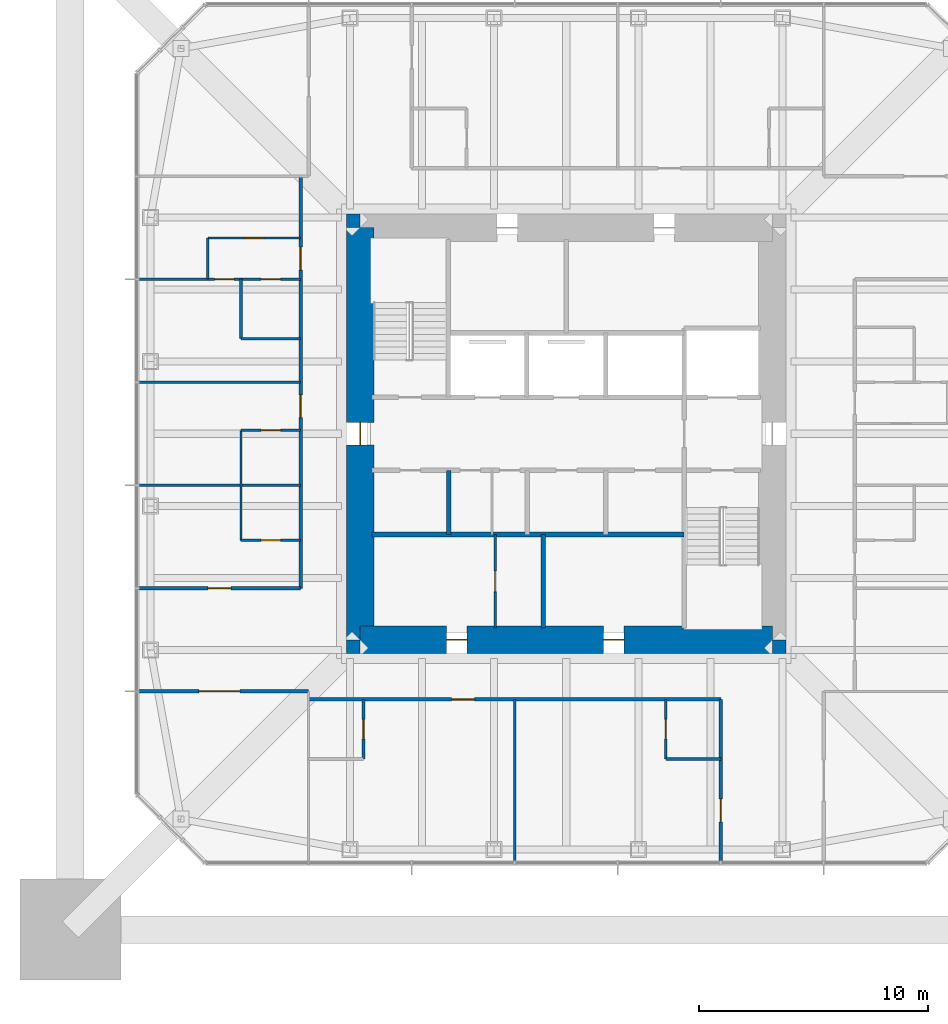
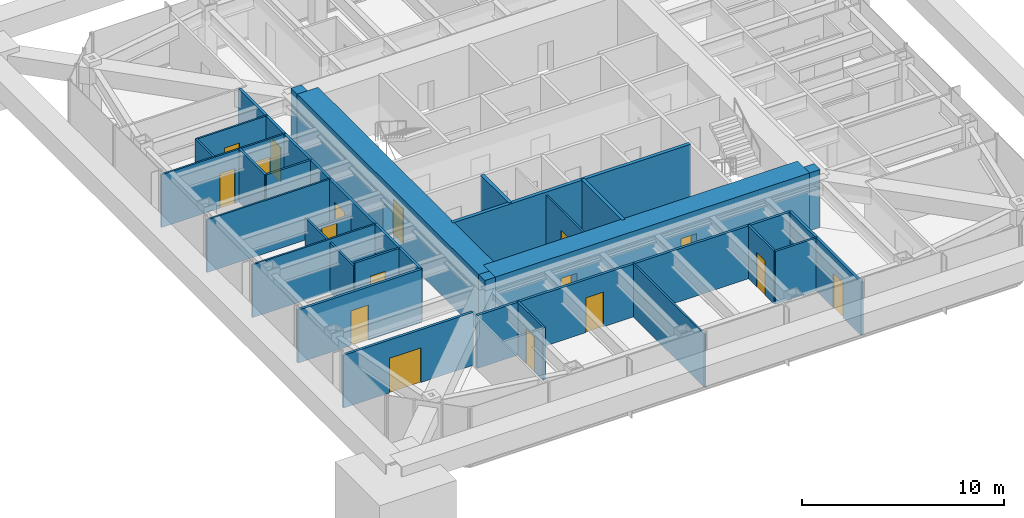
# One storey, part 10 of 15: 28 walls, 17 doors, 17 openings.
"""IFC4 building model written with IfcOpenShell, lengths in metres."""

from ifc_helpers import new_model, si_unit, direction, frame, frame_2d, origin, place, context, subcontext, project, spatial, rectangle, extrude, material, layer, layer_set, type_object, element, fill, save


model = new_model("IFC4")

# Units and contexts
model_context = context("Model", 3, precision=1e-05, world=origin(), true_north=direction((0.0, 1.0)))
body_context = subcontext(model_context, "Body", "Model", "MODEL_VIEW")
ifc_project = project(units=[si_unit("LENGTHUNIT", "METRE"), si_unit("AREAUNIT", "SQUARE_METRE"), si_unit("VOLUMEUNIT", "CUBIC_METRE"), si_unit("PLANEANGLEUNIT", "RADIAN"), si_unit("MASSUNIT", "GRAM", prefix="KILO")], contexts=[model_context])

# Site, building, storey
site_placement = place(None, origin())
site = spatial("IfcSite", under=ifc_project, at=site_placement, CompositionType="ELEMENT")
building_placement = place(site_placement, origin())
building = spatial("IfcBuilding", under=site, at=building_placement, Name="Iwan Alto Co-Living Towers", CompositionType="ELEMENT")
storey_placement = place(building_placement, frame((0.0, 0.0, 205.5)))
storey = spatial("IfcBuildingStorey", under=building, at=storey_placement, Name="L56", CompositionType="ELEMENT", Elevation=205.5)

# Wall, opening, door
ifc_material_1 = material(Name="Gypsum board")
ifc_layer_1 = layer(ifc_material_1, 0.02490234375, Name="Board", Category="Finish")
ifc_material_2 = material(Name="Steel ASTM A1003 ST33H cold-formed studs", Category="steel")
ifc_layer_2 = layer(ifc_material_2, 0.10009765625, Name="Studs", Category="Framing")
ifc_layer_3 = layer(ifc_material_1, 0.02490234375, Name="Board", Category="Finish")
ifc_layer_set_1 = layer_set([ifc_layer_1, ifc_layer_2, ifc_layer_3], Name="CORRIDOR WALL 150")
wall_type_1 = type_object("IfcWallType", Name="CORRIDOR WALL 150", PredefinedType="PARTITIONING", material=ifc_layer_set_1)
wall_1_placement = place(storey_placement, frame((-11.25, -11.60009765625, 0.0), z_axis=(0.0, 0.0, 1.0), x_axis=(1.0, 0.0, 0.0)))
wall_1 = element("IfcWall", 1, at=wall_1_placement, inside=storey, type_object=wall_type_1, Name="Partition L56", PredefinedType="PARTITIONING", context=body_context, shape_type="SweptSolid", body=[
    extrude(rectangle(XDim=18.0, YDim=0.14990234375, at=frame_2d((9.0, 0.0))), origin(), (0.0, 0.0, 1.0), 3.199951171875),
])
opening_1_placement = place(wall_1_placement, frame((6.25, 0.0, 0.0)))
opening_1 = element("IfcOpeningElement", 2, at=opening_1_placement, cuts=wall_1, Name="Opening D3", PredefinedType="OPENING", context=body_context, shape_type="SweptSolid", body=[
    extrude(rectangle(XDim=1.0, YDim=2.10009765625, at=frame_2d((0.5, 1.050048828125))), frame((0.0, 0.0849609375, 0.0), z_axis=(0.0, -1.0, 0.0), x_axis=(1.0, 0.0, 0.0)), (0.0, 0.0, 1.0), 0.169921875),
])
ifc_material_3 = material(Name="Steel frame with timber leaf", Category="steel")
door_type_1 = type_object("IfcDoorType", Name="FLAT ENTRANCE DOOR FD30S 1000X2100", OperationType="SINGLE_SWING_LEFT", PredefinedType="DOOR", material=ifc_material_3)
door_1_placement = place(opening_1_placement, frame((1.0, 0.0, 0.0), z_axis=(0.0, 0.0, 1.0), x_axis=(-1.0, 0.0, 0.0)))
door_1 = element("IfcDoor", 3, at=door_1_placement, inside=storey, type_object=door_type_1, Name="Studio door L56", OperationType="SINGLE_SWING_LEFT", OverallHeight=2.10009765625, OverallWidth=1.0, PredefinedType="DOOR", context=body_context, shape_type="SweptSolid", body=[
    extrude(rectangle(XDim=1.0, YDim=2.10009765625, at=frame_2d((0.5, 1.050048828125))), frame((0.0, 0.02490234375, 0.0), z_axis=(0.0, -1.0, 0.0), x_axis=(1.0, 0.0, 0.0)), (0.0, 0.0, 1.0), 0.050048828125),
])
fill(opening_1, door_1)

wall_2_placement = place(storey_placement, frame((-18.68994140625, -11.25, 0.0), z_axis=(0.0, 0.0, 1.0), x_axis=(1.0, 0.0, 0.0)))
wall_2 = element("IfcWall", 4, at=wall_2_placement, inside=storey, type_object=wall_type_1, Name="Partition L56", PredefinedType="PARTITIONING", context=body_context, shape_type="SweptSolid", body=[
    extrude(rectangle(XDim=7.43994140625, YDim=0.14990234375, at=frame_2d((3.719970703125, 0.0))), origin(), (0.0, 0.0, 1.0), 3.199951171875),
])
opening_2_placement = place(wall_2_placement, frame((2.64501953125, 0.0, 0.0)))
opening_2 = element("IfcOpeningElement", 5, at=opening_2_placement, cuts=wall_2, Name="Opening D9", PredefinedType="OPENING", context=body_context, shape_type="SweptSolid", body=[
    extrude(rectangle(XDim=1.800048828125, YDim=2.10009765625, at=frame_2d((0.89990234375, 1.050048828125))), frame((0.0, 0.0849609375, 0.0), z_axis=(0.0, -1.0, 0.0), x_axis=(1.0, 0.0, 0.0)), (0.0, 0.0, 1.0), 0.169921875),
])
ifc_material_4 = material(Name="Steel frame with timber leaf", Category="steel")
door_type_2 = type_object("IfcDoorType", Name="LOUNGE DOOR FD30S 1800X2100", OperationType="DOUBLE_DOOR_SINGLE_SWING", PredefinedType="DOOR", material=ifc_material_4)
door_2_placement = place(opening_2_placement, frame((1.800048828125, 0.0, 0.0), z_axis=(0.0, 0.0, 1.0), x_axis=(-1.0, 0.0, 0.0)))
door_2 = element("IfcDoor", 6, at=door_2_placement, inside=storey, type_object=door_type_2, Name="Courtyard lounge door L56", OperationType="DOUBLE_DOOR_SINGLE_SWING", OverallHeight=2.10009765625, OverallWidth=1.800048828125, PredefinedType="DOOR", context=body_context, shape_type="SweptSolid", body=[
    extrude(rectangle(XDim=1.800048828125, YDim=2.10009765625, at=frame_2d((0.89990234375, 1.050048828125))), frame((0.0, 0.02490234375, 0.0), z_axis=(0.0, -1.0, 0.0), x_axis=(1.0, 0.0, 0.0)), (0.0, 0.0, 1.0), 0.050048828125),
])
fill(opening_2, door_2)

wall_3_placement = place(storey_placement, frame((-18.68994140625, -6.75, 0.0), z_axis=(0.0, 0.0, 1.0), x_axis=(1.0, 0.0, 0.0)))
wall_3 = element("IfcWall", 7, at=wall_3_placement, inside=storey, type_object=wall_type_1, Name="Partition L56", PredefinedType="PARTITIONING", context=body_context, shape_type="SweptSolid", body=[
    extrude(rectangle(XDim=7.08984375, YDim=0.14990234375, at=frame_2d((3.544921875, 0.0))), origin(), (0.0, 0.0, 1.0), 3.199951171875),
])
opening_3_placement = place(wall_3_placement, frame((3.044921875, 0.0, 0.0)))
opening_3 = element("IfcOpeningElement", 8, at=opening_3_placement, cuts=wall_3, Name="Opening D3", PredefinedType="OPENING", context=body_context, shape_type="SweptSolid", body=[
    extrude(rectangle(XDim=1.0, YDim=2.10009765625, at=frame_2d((0.5, 1.050048828125))), frame((0.0, 0.0849609375, 0.0), z_axis=(0.0, -1.0, 0.0), x_axis=(1.0, 0.0, 0.0)), (0.0, 0.0, 1.0), 0.169921875),
])
door_3_placement = place(opening_3_placement, origin())
door_3 = element("IfcDoor", 9, at=door_3_placement, inside=storey, type_object=door_type_1, Name="Studio door L56", OperationType="SINGLE_SWING_RIGHT", OverallHeight=2.10009765625, OverallWidth=1.0, PredefinedType="DOOR", context=body_context, shape_type="SweptSolid", body=[
    extrude(rectangle(XDim=1.0, YDim=2.10009765625, at=frame_2d((0.5, 1.050048828125))), frame((0.0, 0.02490234375, 0.0), z_axis=(0.0, -1.0, 0.0), x_axis=(1.0, 0.0, 0.0)), (0.0, 0.0, 1.0), 0.050048828125),
])
fill(opening_3, door_3)

wall_4_placement = place(storey_placement, frame((6.75, -18.68994140625, 0.0), z_axis=(0.0, 0.0, 1.0), x_axis=(0.0, 1.0, 0.0)))
wall_4 = element("IfcWall", 10, at=wall_4_placement, inside=storey, type_object=wall_type_1, Name="Partition L56", PredefinedType="PARTITIONING", context=body_context, shape_type="SweptSolid", body=[
    extrude(rectangle(XDim=7.08984375, YDim=0.14990234375, at=frame_2d((3.544921875, 0.0))), origin(), (0.0, 0.0, 1.0), 3.199951171875),
])
opening_4_placement = place(wall_4_placement, frame((1.7451171875, 0.0, 0.0)))
opening_4 = element("IfcOpeningElement", 11, at=opening_4_placement, cuts=wall_4, Name="Opening D3", PredefinedType="OPENING", context=body_context, shape_type="SweptSolid", body=[
    extrude(rectangle(XDim=1.0, YDim=2.10009765625, at=frame_2d((0.5, 1.050048828125))), frame((0.0, 0.0849609375, 0.0), z_axis=(0.0, -1.0, 0.0), x_axis=(1.0, 0.0, 0.0)), (0.0, 0.0, 1.0), 0.169921875),
])
door_4_placement = place(opening_4_placement, origin())
door_4 = element("IfcDoor", 12, at=door_4_placement, inside=storey, type_object=door_type_1, Name="Studio door L56", OperationType="SINGLE_SWING_RIGHT", OverallHeight=2.10009765625, OverallWidth=1.0, PredefinedType="DOOR", context=body_context, shape_type="SweptSolid", body=[
    extrude(rectangle(XDim=1.0, YDim=2.10009765625, at=frame_2d((0.5, 1.050048828125))), frame((0.0, 0.02490234375, 0.0), z_axis=(0.0, -1.0, 0.0), x_axis=(1.0, 0.0, 0.0)), (0.0, 0.0, 1.0), 0.050048828125),
])
fill(opening_4, door_4)

# Wall, openings, doors
wall_5_placement = place(storey_placement, frame((-11.60009765625, -6.75, 0.0), z_axis=(0.0, 0.0, 1.0), x_axis=(0.0, 1.0, 0.0)))
wall_5 = element("IfcWall", 13, at=wall_5_placement, inside=storey, type_object=wall_type_1, Name="Partition L56", PredefinedType="PARTITIONING", context=body_context, shape_type="SweptSolid", body=[
    extrude(rectangle(XDim=18.0, YDim=0.14990234375, at=frame_2d((9.0, 0.0))), origin(), (0.0, 0.0, 1.0), 3.199951171875),
])
opening_5_placement = place(wall_5_placement, frame((13.89990234375, 0.0, 0.0)))
opening_5 = element("IfcOpeningElement", 14, at=opening_5_placement, cuts=wall_5, Name="Opening D3", PredefinedType="OPENING", context=body_context, shape_type="SweptSolid", body=[
    extrude(rectangle(XDim=1.0, YDim=2.10009765625, at=frame_2d((0.5, 1.050048828125))), frame((0.0, 0.0849609375, 0.0), z_axis=(0.0, -1.0, 0.0), x_axis=(1.0, 0.0, 0.0)), (0.0, 0.0, 1.0), 0.169921875),
])
opening_6_placement = place(wall_5_placement, frame((7.449951171875, 0.0, 0.0)))
opening_6 = element("IfcOpeningElement", 15, at=opening_6_placement, cuts=wall_5, Name="Opening D3", PredefinedType="OPENING", context=body_context, shape_type="SweptSolid", body=[
    extrude(rectangle(XDim=1.0, YDim=2.10009765625, at=frame_2d((0.5, 1.050048828125))), frame((0.0, 0.0849609375, 0.0), z_axis=(0.0, -1.0, 0.0), x_axis=(1.0, 0.0, 0.0)), (0.0, 0.0, 1.0), 0.169921875),
])
door_5_placement = place(opening_5_placement, origin())
door_5 = element("IfcDoor", 16, at=door_5_placement, inside=storey, type_object=door_type_1, Name="Apartment foyer door L56", OperationType="SINGLE_SWING_LEFT", OverallHeight=2.10009765625, OverallWidth=1.0, PredefinedType="DOOR", context=body_context, shape_type="SweptSolid", body=[
    extrude(rectangle(XDim=1.0, YDim=2.10009765625, at=frame_2d((0.5, 1.050048828125))), frame((0.0, 0.02490234375, 0.0), z_axis=(0.0, -1.0, 0.0), x_axis=(1.0, 0.0, 0.0)), (0.0, 0.0, 1.0), 0.050048828125),
])
fill(opening_5, door_5)
door_6_placement = place(opening_6_placement, origin())
door_6 = element("IfcDoor", 17, at=door_6_placement, inside=storey, type_object=door_type_1, Name="Studio door L56", OperationType="SINGLE_SWING_LEFT", OverallHeight=2.10009765625, OverallWidth=1.0, PredefinedType="DOOR", context=body_context, shape_type="SweptSolid", body=[
    extrude(rectangle(XDim=1.0, YDim=2.10009765625, at=frame_2d((0.5, 1.050048828125))), frame((0.0, 0.02490234375, 0.0), z_axis=(0.0, -1.0, 0.0), x_axis=(1.0, 0.0, 0.0)), (0.0, 0.0, 1.0), 0.050048828125),
])
fill(opening_6, door_6)

# Walls
ifc_layer_4 = layer(ifc_material_1, 0.012451171875, Name="Board", Category="Finish")
ifc_layer_5 = layer(ifc_material_2, 0.074951171875, Name="Studs", Category="Framing")
ifc_layer_6 = layer(ifc_material_1, 0.012451171875, Name="Board", Category="Finish")
ifc_layer_set_2 = layer_set([ifc_layer_4, ifc_layer_5, ifc_layer_6], Name="PARTITION 100")
wall_type_2 = type_object("IfcWallType", Name="PARTITION 100", PredefinedType="PARTITIONING", material=ifc_layer_set_2)
for number, where, z_axis, x_axis, name in (
    (18, (-18.68994140625, -2.25, 0.0), (0.0, 0.0, 1.0), (1.0, 0.0, 0.0), "Partition L56"),
    (19, (-18.68994140625, 2.25, 0.0), (0.0, 0.0, 1.0), (1.0, 0.0, 0.0), "Partition L56"),
):
    element("IfcWall", number, at=place(storey_placement, frame(where, z_axis=z_axis, x_axis=x_axis)), inside=storey, type_object=wall_type_2, Name=name, PredefinedType="PARTITIONING", context=body_context, shape_type="SweptSolid", body=[
        extrude(rectangle(XDim=7.08984375, YDim=0.10009765625, at=frame_2d((3.544921875, 0.0))), origin(), (0.0, 0.0, 1.0), 3.199951171875),
    ])

# Wall, openings, doors
wall_6_placement = place(storey_placement, frame((-18.68994140625, 6.75, 0.0), z_axis=(0.0, 0.0, 1.0), x_axis=(1.0, 0.0, 0.0)))
wall_6 = element("IfcWall", 20, at=wall_6_placement, inside=storey, type_object=wall_type_2, Name="Partition L56", PredefinedType="PARTITIONING", context=body_context, shape_type="SweptSolid", body=[
    extrude(rectangle(XDim=7.08984375, YDim=0.10009765625, at=frame_2d((3.544921875, 0.0))), origin(), (0.0, 0.0, 1.0), 3.199951171875),
])
opening_7_placement = place(wall_6_placement, frame((3.340087890625, 0.0, 0.0)))
opening_7 = element("IfcOpeningElement", 21, at=opening_7_placement, cuts=wall_6, Name="Opening D2", PredefinedType="OPENING", context=body_context, shape_type="SweptSolid", body=[
    extrude(rectangle(XDim=0.85009765625, YDim=2.10009765625, at=frame_2d((0.425048828125, 1.050048828125))), frame((0.0, 0.06005859375, 0.0), z_axis=(0.0, -1.0, 0.0), x_axis=(1.0, 0.0, 0.0)), (0.0, 0.0, 1.0), 0.1201171875),
])
opening_8_placement = place(wall_6_placement, frame((5.364990234375, 0.0, 0.0)))
opening_8 = element("IfcOpeningElement", 22, at=opening_8_placement, cuts=wall_6, Name="Opening D2", PredefinedType="OPENING", context=body_context, shape_type="SweptSolid", body=[
    extrude(rectangle(XDim=0.85009765625, YDim=2.10009765625, at=frame_2d((0.425048828125, 1.050048828125))), frame((0.0, 0.06005859375, 0.0), z_axis=(0.0, -1.0, 0.0), x_axis=(1.0, 0.0, 0.0)), (0.0, 0.0, 1.0), 0.1201171875),
])
ifc_material_5 = material(Name="Timber leaf in steel frame", Category="steel")
door_type_3 = type_object("IfcDoorType", Name="ROOM DOOR 850X2100", OperationType="SINGLE_SWING_LEFT", PredefinedType="DOOR", material=ifc_material_5)
door_7_placement = place(opening_7_placement, frame((0.85009765625, 0.0, 0.0), z_axis=(0.0, 0.0, 1.0), x_axis=(-1.0, 0.0, 0.0)))
door_7 = element("IfcDoor", 23, at=door_7_placement, inside=storey, type_object=door_type_3, Name="Bedroom door L56", OperationType="SINGLE_SWING_LEFT", OverallHeight=2.10009765625, OverallWidth=0.85009765625, PredefinedType="DOOR", context=body_context, shape_type="SweptSolid", body=[
    extrude(rectangle(XDim=0.85009765625, YDim=2.10009765625, at=frame_2d((0.425048828125, 1.050048828125))), frame((0.0, 0.02490234375, 0.0), z_axis=(0.0, -1.0, 0.0), x_axis=(1.0, 0.0, 0.0)), (0.0, 0.0, 1.0), 0.050048828125),
])
fill(opening_7, door_7)
door_8_placement = place(opening_8_placement, frame((0.85009765625, 0.0, 0.0), z_axis=(0.0, 0.0, 1.0), x_axis=(-1.0, 0.0, 0.0)))
door_8 = element("IfcDoor", 24, at=door_8_placement, inside=storey, type_object=door_type_3, Name="Accessible bathroom door L56", OperationType="SINGLE_SWING_RIGHT", OverallHeight=2.10009765625, OverallWidth=0.85009765625, PredefinedType="DOOR", context=body_context, shape_type="SweptSolid", body=[
    extrude(rectangle(XDim=0.85009765625, YDim=2.10009765625, at=frame_2d((0.425048828125, 1.050048828125))), frame((0.0, 0.02490234375, 0.0), z_axis=(0.0, -1.0, 0.0), x_axis=(1.0, 0.0, 0.0)), (0.0, 0.0, 1.0), 0.050048828125),
])
fill(opening_8, door_8)

# Wall, opening, door
wall_7_placement = place(storey_placement, frame((-15.64990234375, 8.550048828125, 0.0), z_axis=(0.0, 0.0, 1.0), x_axis=(1.0, 0.0, 0.0)))
wall_7 = element("IfcWall", 25, at=wall_7_placement, inside=storey, type_object=wall_type_2, Name="Partition L56", PredefinedType="PARTITIONING", context=body_context, shape_type="SweptSolid", body=[
    extrude(rectangle(XDim=4.0498046875, YDim=0.10009765625, at=frame_2d((2.02490234375, 0.0))), origin(), (0.0, 0.0, 1.0), 3.199951171875),
])
opening_9_placement = place(wall_7_placement, frame((1.60009765625, 0.0, 0.0)))
opening_9 = element("IfcOpeningElement", 26, at=opening_9_placement, cuts=wall_7, Name="Opening D2", PredefinedType="OPENING", context=body_context, shape_type="SweptSolid", body=[
    extrude(rectangle(XDim=0.85009765625, YDim=2.10009765625, at=frame_2d((0.425048828125, 1.050048828125))), frame((0.0, 0.06005859375, 0.0), z_axis=(0.0, -1.0, 0.0), x_axis=(1.0, 0.0, 0.0)), (0.0, 0.0, 1.0), 0.1201171875),
])
door_9_placement = place(opening_9_placement, origin())
door_9 = element("IfcDoor", 27, at=door_9_placement, inside=storey, type_object=door_type_3, Name="Apartment foyer door L56", OperationType="SINGLE_SWING_RIGHT", OverallHeight=2.10009765625, OverallWidth=0.85009765625, PredefinedType="DOOR", context=body_context, shape_type="SweptSolid", body=[
    extrude(rectangle(XDim=0.85009765625, YDim=2.10009765625, at=frame_2d((0.425048828125, 1.050048828125))), frame((0.0, 0.02490234375, 0.0), z_axis=(0.0, -1.0, 0.0), x_axis=(1.0, 0.0, 0.0)), (0.0, 0.0, 1.0), 0.050048828125),
])
fill(opening_9, door_9)

# Wall
wall_8_placement = place(storey_placement, frame((-2.25, -18.68994140625, 0.0), z_axis=(0.0, 0.0, 1.0), x_axis=(0.0, 1.0, 0.0)))
element("IfcWall", 28, at=wall_8_placement, inside=storey, type_object=wall_type_2, Name="Partition L56", PredefinedType="PARTITIONING", context=body_context, shape_type="SweptSolid", body=[
    extrude(rectangle(XDim=7.08984375, YDim=0.10009765625, at=frame_2d((3.544921875, 0.0))), origin(), (0.0, 0.0, 1.0), 3.199951171875),
])

# Wall, opening, door
wall_9_placement = place(storey_placement, frame((-3.10009765625, -8.489990234375, 0.0), z_axis=(0.0, 0.0, 1.0), x_axis=(0.0, 1.0, 0.0)))
wall_9 = element("IfcWall", 29, at=wall_9_placement, inside=storey, type_object=wall_type_2, Name="Partition L56", PredefinedType="PARTITIONING", context=body_context, shape_type="SweptSolid", body=[
    extrude(rectangle(XDim=4.090087890625, YDim=0.10009765625, at=frame_2d((2.044921875, 0.0))), origin(), (0.0, 0.0, 1.0), 3.300048828125),
])
opening_10_placement = place(wall_9_placement, frame((1.594970703125, 0.0, 0.0)))
opening_10 = element("IfcOpeningElement", 30, at=opening_10_placement, cuts=wall_9, Name="Opening D16", PredefinedType="OPENING", context=body_context, shape_type="SweptSolid", body=[
    extrude(rectangle(XDim=0.89990234375, YDim=2.10009765625, at=frame_2d((0.449951171875, 1.050048828125))), frame((0.0, 0.06005859375, 0.0), z_axis=(0.0, -1.0, 0.0), x_axis=(1.0, 0.0, 0.0)), (0.0, 0.0, 1.0), 0.1201171875),
])
ifc_material_6 = material(Name="Timber leaf in steel frame", Category="steel")
door_type_4 = type_object("IfcDoorType", Name="CUPBOARD SLIDING DOOR 900X2100", OperationType="SLIDING_TO_LEFT", PredefinedType="DOOR", material=ifc_material_6)
door_10_placement = place(opening_10_placement, origin())
door_10 = element("IfcDoor", 31, at=door_10_placement, inside=storey, type_object=door_type_4, Name="Cleaner's store door L56", OperationType="SLIDING_TO_LEFT", OverallHeight=2.10009765625, OverallWidth=0.89990234375, PredefinedType="DOOR", context=body_context, shape_type="SweptSolid", body=[
    extrude(rectangle(XDim=0.89990234375, YDim=2.10009765625, at=frame_2d((0.449951171875, 1.050048828125))), frame((0.0, 0.02490234375, 0.0), z_axis=(0.0, -1.0, 0.0), x_axis=(1.0, 0.0, 0.0)), (0.0, 0.0, 1.0), 0.050048828125),
])
fill(opening_10, door_10)

# Walls
wall_10_placement = place(storey_placement, frame((-14.199951171875, -4.64990234375, 0.0), z_axis=(0.0, 0.0, 1.0), x_axis=(0.0, 1.0, 0.0)))
element("IfcWall", 32, at=wall_10_placement, inside=storey, type_object=wall_type_2, Name="Partition L56", PredefinedType="PARTITIONING", context=body_context, shape_type="SweptSolid", body=[
    extrude(rectangle(XDim=4.7998046875, YDim=0.10009765625, at=frame_2d((2.39990234375, 0.0))), origin(), (0.0, 0.0, 1.0), 3.0),
])
wall_11_placement = place(storey_placement, frame((-15.64990234375, 6.75, 0.0), z_axis=(0.0, 0.0, 1.0), x_axis=(0.0, 1.0, 0.0)))
element("IfcWall", 33, at=wall_11_placement, inside=storey, type_object=wall_type_2, Name="Partition L56", PredefinedType="PARTITIONING", context=body_context, shape_type="SweptSolid", body=[
    extrude(rectangle(XDim=1.800048828125, YDim=0.10009765625, at=frame_2d((0.89990234375, 0.0))), origin(), (0.0, 0.0, 1.0), 3.199951171875),
])
ifc_material_7 = material(Name="Concrete f'c 70 MPa", Category="concrete")
ifc_layer_7 = layer(ifc_material_7, 0.199951171875)
ifc_layer_set_3 = layer_set([ifc_layer_7], Name="SHAFT WALL 200")
wall_type_3 = type_object("IfcWallType", Name="SHAFT WALL 200", PredefinedType="SOLIDWALL", material=ifc_layer_set_3)
wall_12_placement = place(storey_placement, frame((-8.489990234375, -4.39990234375, 0.0), z_axis=(0.0, 0.0, 1.0), x_axis=(1.0, 0.0, 0.0)))
element("IfcWall", 34, at=wall_12_placement, inside=storey, type_object=wall_type_3, Name="Shaft wall L56", PredefinedType="SOLIDWALL", context=body_context, shape_type="SweptSolid", body=[
    extrude(rectangle(XDim=13.639892578125, YDim=0.199951171875, at=frame_2d((6.81982421875, 0.0))), origin(), (0.0, 0.0, 1.0), 3.5),
])
wall_13_placement = place(storey_placement, frame((-1.0, -8.489990234375, 0.0), z_axis=(0.0, 0.0, 1.0), x_axis=(0.0, 1.0, 0.0)))
element("IfcWall", 35, at=wall_13_placement, inside=storey, type_object=wall_type_3, Name="Shaft wall L56", PredefinedType="SOLIDWALL", context=body_context, shape_type="SweptSolid", body=[
    extrude(rectangle(XDim=4.090087890625, YDim=0.199951171875, at=frame_2d((2.044921875, 0.0))), origin(), (0.0, 0.0, 1.0), 3.5),
])
wall_14_placement = place(storey_placement, frame((-5.125, -4.39990234375, 0.0), z_axis=(0.0, 0.0, 1.0), x_axis=(0.0, 1.0, 0.0)))
element("IfcWall", 36, at=wall_14_placement, inside=storey, type_object=wall_type_3, Name="Shaft wall L56", PredefinedType="SOLIDWALL", context=body_context, shape_type="SweptSolid", body=[
    extrude(rectangle(XDim=2.7998046875, YDim=0.199951171875, at=frame_2d((1.39990234375, 0.0))), origin(), (0.0, 0.0, 1.0), 3.5),
])
ifc_material_8 = material(Name="Concrete f'c 70 MPa", Category="concrete")
ifc_layer_8 = layer(ifc_material_8, 0.60009765625)
ifc_layer_set_4 = layer_set([ifc_layer_8], Name="T1 CORE CORNER FILL 600")
wall_type_4 = type_object("IfcWallType", Name="T1 CORE CORNER FILL 600", PredefinedType="SOLIDWALL", material=ifc_layer_set_4)
for number, where, z_axis, x_axis, name in (
    (37, (-9.60009765625, -9.300048828125, 0.0), (0.0, 0.0, 1.0), (1.0, 0.0, 0.0), "T1 core corner SW L56"),
    (38, (9.0, -9.300048828125, 0.0), (0.0, 0.0, 1.0), (1.0, 0.0, 0.0), "T1 core corner SE L56"),
    (39, (-9.60009765625, 9.300048828125, 0.0), (0.0, 0.0, 1.0), (1.0, 0.0, 0.0), "T1 core corner NW L56"),
):
    element("IfcWall", number, at=place(storey_placement, frame(where, z_axis=z_axis, x_axis=x_axis)), inside=storey, type_object=wall_type_4, Name=name, PredefinedType="SOLIDWALL", context=body_context, shape_type="SweptSolid", body=[
        extrude(rectangle(XDim=0.60009765625, YDim=0.60009765625, at=frame_2d((0.300048828125, 0.0))), origin(), (0.0, 0.0, 1.0), 3.5),
    ])

# Wall, openings, doors
ifc_material_9 = material(Name="Concrete f'c 70 MPa", Category="concrete")
ifc_layer_9 = layer(ifc_material_9, 1.199951171875)
ifc_layer_set_5 = layer_set([ifc_layer_9], Name="T1 CORE WALL 1200")
wall_type_5 = type_object("IfcWallType", Name="T1 CORE WALL 1200", PredefinedType="SHEAR", material=ifc_layer_set_5)
wall_15_placement = place(storey_placement, frame((-9.0, -9.0, 0.0), z_axis=(0.0, 0.0, 1.0), x_axis=(1.0, 0.0, 0.0)))
wall_15 = element("IfcWall", 40, at=wall_15_placement, inside=storey, type_object=wall_type_5, Name="T1 core wall S L56", PredefinedType="SHEAR", context=body_context, shape_type="SweptSolid", body=[
    extrude(rectangle(XDim=18.0, YDim=1.199951171875, at=frame_2d((9.0, 0.0))), origin(), (0.0, 0.0, 1.0), 3.5),
])
opening_11_placement = place(wall_15_placement, frame((3.77490234375, 0.0, 0.0)))
opening_11 = element("IfcOpeningElement", 41, at=opening_11_placement, cuts=wall_15, Name="Opening D8", PredefinedType="OPENING", context=body_context, shape_type="SweptSolid", body=[
    extrude(rectangle(XDim=0.89990234375, YDim=2.10009765625, at=frame_2d((0.449951171875, 1.050048828125))), frame((0.0, 0.60986328125, 0.0), z_axis=(0.0, -1.0, 0.0), x_axis=(1.0, 0.0, 0.0)), (0.0, 0.0, 1.0), 1.219970703125),
])
opening_12_placement = place(wall_15_placement, frame((10.625, 0.0, 0.0)))
opening_12 = element("IfcOpeningElement", 42, at=opening_12_placement, cuts=wall_15, Name="Opening D8", PredefinedType="OPENING", context=body_context, shape_type="SweptSolid", body=[
    extrude(rectangle(XDim=0.89990234375, YDim=2.10009765625, at=frame_2d((0.449951171875, 1.050048828125))), frame((0.0, 0.60986328125, 0.0), z_axis=(0.0, -1.0, 0.0), x_axis=(1.0, 0.0, 0.0)), (0.0, 0.0, 1.0), 1.219970703125),
])
ifc_material_10 = material(Name="Steel frame with timber leaf", Category="steel")
door_type_5 = type_object("IfcDoorType", Name="RISER DOOR FD120 900X2100", OperationType="SINGLE_SWING_LEFT", PredefinedType="DOOR", material=ifc_material_10)
door_11_placement = place(opening_11_placement, origin())
door_11 = element("IfcDoor", 43, at=door_11_placement, inside=storey, type_object=door_type_5, Name="Refuse room core door L56", OperationType="SINGLE_SWING_RIGHT", OverallHeight=2.10009765625, OverallWidth=0.89990234375, PredefinedType="DOOR", context=body_context, shape_type="SweptSolid", body=[
    extrude(rectangle(XDim=0.89990234375, YDim=2.10009765625, at=frame_2d((0.449951171875, 1.050048828125))), frame((0.0, 0.02490234375, 0.0), z_axis=(0.0, -1.0, 0.0), x_axis=(1.0, 0.0, 0.0)), (0.0, 0.0, 1.0), 0.050048828125),
])
fill(opening_11, door_11)
door_12_placement = place(opening_12_placement, origin())
door_12 = element("IfcDoor", 44, at=door_12_placement, inside=storey, type_object=door_type_5, Name="Telecom riser core door L56", OperationType="SINGLE_SWING_LEFT", OverallHeight=2.10009765625, OverallWidth=0.89990234375, PredefinedType="DOOR", context=body_context, shape_type="SweptSolid", body=[
    extrude(rectangle(XDim=0.89990234375, YDim=2.10009765625, at=frame_2d((0.449951171875, 1.050048828125))), frame((0.0, 0.02490234375, 0.0), z_axis=(0.0, -1.0, 0.0), x_axis=(1.0, 0.0, 0.0)), (0.0, 0.0, 1.0), 0.050048828125),
])
fill(opening_12, door_12)

# Wall, opening, door
wall_16_placement = place(storey_placement, frame((-9.0, 9.0, 0.0), z_axis=(0.0, 0.0, 1.0), x_axis=(0.0, -1.0, 0.0)))
wall_16 = element("IfcWall", 45, at=wall_16_placement, inside=storey, type_object=wall_type_5, Name="T1 core wall W L56", PredefinedType="SHEAR", context=body_context, shape_type="SweptSolid", body=[
    extrude(rectangle(XDim=18.0, YDim=1.199951171875, at=frame_2d((9.0, 0.0))), origin(), (0.0, 0.0, 1.0), 3.5),
])
opening_13_placement = place(wall_16_placement, frame((8.5, 0.0, 0.0)))
opening_13 = element("IfcOpeningElement", 46, at=opening_13_placement, cuts=wall_16, Name="Opening D7", PredefinedType="OPENING", context=body_context, shape_type="SweptSolid", body=[
    extrude(rectangle(XDim=1.0, YDim=2.10009765625, at=frame_2d((0.5, 1.050048828125))), frame((0.0, 0.60986328125, 0.0), z_axis=(0.0, -1.0, 0.0), x_axis=(1.0, 0.0, 0.0)), (0.0, 0.0, 1.0), 1.219970703125),
])
ifc_material_11 = material(Name="Steel frame with timber leaf", Category="steel")
door_type_6 = type_object("IfcDoorType", Name="CORE DOOR FD120S 1000X2100", OperationType="SINGLE_SWING_LEFT", PredefinedType="DOOR", material=ifc_material_11)
door_13_placement = place(opening_13_placement, origin())
door_13 = element("IfcDoor", 47, at=door_13_placement, inside=storey, type_object=door_type_6, Name="Lift lobby core door L56", OperationType="SINGLE_SWING_RIGHT", OverallHeight=2.10009765625, OverallWidth=1.0, PredefinedType="DOOR", context=body_context, shape_type="SweptSolid", body=[
    extrude(rectangle(XDim=1.0, YDim=2.10009765625, at=frame_2d((0.5, 1.050048828125))), frame((0.0, 0.02490234375, 0.0), z_axis=(0.0, -1.0, 0.0), x_axis=(1.0, 0.0, 0.0)), (0.0, 0.0, 1.0), 0.050048828125),
])
fill(opening_13, door_13)

# Wall
ifc_material_12 = material(Name="Cement board")
ifc_layer_10 = layer(ifc_material_12, 0.012451171875, Name="Board", Category="Finish")
ifc_layer_11 = layer(ifc_material_2, 0.094970703125, Name="Studs", Category="Framing")
ifc_layer_12 = layer(ifc_material_12, 0.012451171875, Name="Board", Category="Finish")
ifc_layer_set_6 = layer_set([ifc_layer_10, ifc_layer_11, ifc_layer_12], Name="WET AREA PARTITION 120")
wall_type_6 = type_object("IfcWallType", Name="WET AREA PARTITION 120", PredefinedType="PARTITIONING", material=ifc_layer_set_6)
wall_17_placement = place(storey_placement, frame((4.35009765625, -14.199951171875, 0.0), z_axis=(0.0, 0.0, 1.0), x_axis=(1.0, 0.0, 0.0)))
element("IfcWall", 48, at=wall_17_placement, inside=storey, type_object=wall_type_6, Name="Partition L56", PredefinedType="PARTITIONING", context=body_context, shape_type="SweptSolid", body=[
    extrude(rectangle(XDim=2.39990234375, YDim=0.1201171875, at=frame_2d((1.199951171875, 0.0))), origin(), (0.0, 0.0, 1.0), 3.199951171875),
])

# Wall, opening, door
wall_18_placement = place(storey_placement, frame((-14.199951171875, -4.64990234375, 0.0), z_axis=(0.0, 0.0, 1.0), x_axis=(1.0, 0.0, 0.0)))
wall_18 = element("IfcWall", 49, at=wall_18_placement, inside=storey, type_object=wall_type_6, Name="Partition L56", PredefinedType="PARTITIONING", context=body_context, shape_type="SweptSolid", body=[
    extrude(rectangle(XDim=2.599853515625, YDim=0.1201171875, at=frame_2d((1.2998046875, 0.0))), origin(), (0.0, 0.0, 1.0), 3.199951171875),
])
opening_14_placement = place(wall_18_placement, frame((0.875, 0.0, 0.0)))
opening_14 = element("IfcOpeningElement", 50, at=opening_14_placement, cuts=wall_18, Name="Opening D2", PredefinedType="OPENING", context=body_context, shape_type="SweptSolid", body=[
    extrude(rectangle(XDim=0.85009765625, YDim=2.10009765625, at=frame_2d((0.425048828125, 1.050048828125))), frame((0.0, 0.070068359375, 0.0), z_axis=(0.0, -1.0, 0.0), x_axis=(1.0, 0.0, 0.0)), (0.0, 0.0, 1.0), 0.14013671875),
])
door_14_placement = place(opening_14_placement, frame((0.85009765625, 0.0, 0.0), z_axis=(0.0, 0.0, 1.0), x_axis=(-1.0, 0.0, 0.0)))
door_14 = element("IfcDoor", 51, at=door_14_placement, inside=storey, type_object=door_type_3, Name="En-suite shower room door L56", OperationType="SINGLE_SWING_LEFT", OverallHeight=2.10009765625, OverallWidth=0.85009765625, PredefinedType="DOOR", context=body_context, shape_type="SweptSolid", body=[
    extrude(rectangle(XDim=0.85009765625, YDim=2.10009765625, at=frame_2d((0.425048828125, 1.050048828125))), frame((0.0, 0.02490234375, 0.0), z_axis=(0.0, -1.0, 0.0), x_axis=(1.0, 0.0, 0.0)), (0.0, 0.0, 1.0), 0.050048828125),
])
fill(opening_14, door_14)

wall_19_placement = place(storey_placement, frame((-14.199951171875, 0.14990234375, 0.0), z_axis=(0.0, 0.0, 1.0), x_axis=(1.0, 0.0, 0.0)))
wall_19 = element("IfcWall", 52, at=wall_19_placement, inside=storey, type_object=wall_type_6, Name="Partition L56", PredefinedType="PARTITIONING", context=body_context, shape_type="SweptSolid", body=[
    extrude(rectangle(XDim=2.599853515625, YDim=0.1201171875, at=frame_2d((1.2998046875, 0.0))), origin(), (0.0, 0.0, 1.0), 2.27294921875),
])
opening_15_placement = place(wall_19_placement, frame((0.875, 0.0, 0.0)))
opening_15 = element("IfcOpeningElement", 53, at=opening_15_placement, cuts=wall_19, Name="Opening D2", PredefinedType="OPENING", context=body_context, shape_type="SweptSolid", body=[
    extrude(rectangle(XDim=0.85009765625, YDim=2.10009765625, at=frame_2d((0.425048828125, 1.050048828125))), frame((0.0, 0.070068359375, 0.0), z_axis=(0.0, -1.0, 0.0), x_axis=(1.0, 0.0, 0.0)), (0.0, 0.0, 1.0), 0.14013671875),
])
door_15_placement = place(opening_15_placement, origin())
door_15 = element("IfcDoor", 54, at=door_15_placement, inside=storey, type_object=door_type_3, Name="En-suite shower room door L56", OperationType="SINGLE_SWING_RIGHT", OverallHeight=2.10009765625, OverallWidth=0.85009765625, PredefinedType="DOOR", context=body_context, shape_type="SweptSolid", body=[
    extrude(rectangle(XDim=0.85009765625, YDim=2.10009765625, at=frame_2d((0.425048828125, 1.050048828125))), frame((0.0, 0.02490234375, 0.0), z_axis=(0.0, -1.0, 0.0), x_axis=(1.0, 0.0, 0.0)), (0.0, 0.0, 1.0), 0.050048828125),
])
fill(opening_15, door_15)

# Wall
wall_20_placement = place(storey_placement, frame((-14.199951171875, 4.14990234375, 0.0), z_axis=(0.0, 0.0, 1.0), x_axis=(1.0, 0.0, 0.0)))
element("IfcWall", 55, at=wall_20_placement, inside=storey, type_object=wall_type_6, Name="Partition L56", PredefinedType="PARTITIONING", context=body_context, shape_type="SweptSolid", body=[
    extrude(rectangle(XDim=2.599853515625, YDim=0.1201171875, at=frame_2d((1.2998046875, 0.0))), origin(), (0.0, 0.0, 1.0), 3.199951171875),
])

# Wall, opening, door
wall_21_placement = place(storey_placement, frame((4.35009765625, -14.199951171875, 0.0), z_axis=(0.0, 0.0, 1.0), x_axis=(0.0, 1.0, 0.0)))
wall_21 = element("IfcWall", 56, at=wall_21_placement, inside=storey, type_object=wall_type_6, Name="Partition L56", PredefinedType="PARTITIONING", context=body_context, shape_type="SweptSolid", body=[
    extrude(rectangle(XDim=2.599853515625, YDim=0.1201171875, at=frame_2d((1.2998046875, 0.0))), origin(), (0.0, 0.0, 1.0), 3.199951171875),
])
opening_16_placement = place(wall_21_placement, frame((0.875, 0.0, 0.0)))
opening_16 = element("IfcOpeningElement", 57, at=opening_16_placement, cuts=wall_21, Name="Opening D2", PredefinedType="OPENING", context=body_context, shape_type="SweptSolid", body=[
    extrude(rectangle(XDim=0.85009765625, YDim=2.10009765625, at=frame_2d((0.425048828125, 1.050048828125))), frame((0.0, 0.070068359375, 0.0), z_axis=(0.0, -1.0, 0.0), x_axis=(1.0, 0.0, 0.0)), (0.0, 0.0, 1.0), 0.14013671875),
])
door_16_placement = place(opening_16_placement, origin())
door_16 = element("IfcDoor", 58, at=door_16_placement, inside=storey, type_object=door_type_3, Name="En-suite shower room door L56", OperationType="SINGLE_SWING_RIGHT", OverallHeight=2.10009765625, OverallWidth=0.85009765625, PredefinedType="DOOR", context=body_context, shape_type="SweptSolid", body=[
    extrude(rectangle(XDim=0.85009765625, YDim=2.10009765625, at=frame_2d((0.425048828125, 1.050048828125))), frame((0.0, 0.02490234375, 0.0), z_axis=(0.0, -1.0, 0.0), x_axis=(1.0, 0.0, 0.0)), (0.0, 0.0, 1.0), 0.050048828125),
])
fill(opening_16, door_16)

wall_22_placement = place(storey_placement, frame((-8.85009765625, -14.199951171875, 0.0), z_axis=(0.0, 0.0, 1.0), x_axis=(0.0, 1.0, 0.0)))
wall_22 = element("IfcWall", 59, at=wall_22_placement, inside=storey, type_object=wall_type_6, Name="Partition L56", PredefinedType="PARTITIONING", context=body_context, shape_type="SweptSolid", body=[
    extrude(rectangle(XDim=2.599853515625, YDim=0.1201171875, at=frame_2d((1.2998046875, 0.0))), origin(), (0.0, 0.0, 1.0), 3.199951171875),
])
opening_17_placement = place(wall_22_placement, frame((0.875, 0.0, 0.0)))
opening_17 = element("IfcOpeningElement", 60, at=opening_17_placement, cuts=wall_22, Name="Opening D2", PredefinedType="OPENING", context=body_context, shape_type="SweptSolid", body=[
    extrude(rectangle(XDim=0.85009765625, YDim=2.10009765625, at=frame_2d((0.425048828125, 1.050048828125))), frame((0.0, 0.070068359375, 0.0), z_axis=(0.0, -1.0, 0.0), x_axis=(1.0, 0.0, 0.0)), (0.0, 0.0, 1.0), 0.14013671875),
])
door_17_placement = place(opening_17_placement, frame((0.85009765625, 0.0, 0.0), z_axis=(0.0, 0.0, 1.0), x_axis=(-1.0, 0.0, 0.0)))
door_17 = element("IfcDoor", 61, at=door_17_placement, inside=storey, type_object=door_type_3, Name="En-suite shower room door L56", OperationType="SINGLE_SWING_LEFT", OverallHeight=2.10009765625, OverallWidth=0.85009765625, PredefinedType="DOOR", context=body_context, shape_type="SweptSolid", body=[
    extrude(rectangle(XDim=0.85009765625, YDim=2.10009765625, at=frame_2d((0.425048828125, 1.050048828125))), frame((0.0, 0.02490234375, 0.0), z_axis=(0.0, -1.0, 0.0), x_axis=(1.0, 0.0, 0.0)), (0.0, 0.0, 1.0), 0.050048828125),
])
fill(opening_17, door_17)

# Wall
wall_23_placement = place(storey_placement, frame((-14.199951171875, 4.14990234375, 0.0), z_axis=(0.0, 0.0, 1.0), x_axis=(0.0, 1.0, 0.0)))
element("IfcWall", 62, at=wall_23_placement, inside=storey, type_object=wall_type_6, Name="Partition L56", PredefinedType="PARTITIONING", context=body_context, shape_type="SweptSolid", body=[
    extrude(rectangle(XDim=2.60009765625, YDim=0.1201171875, at=frame_2d((1.300048828125, 0.0))), origin(), (0.0, 0.0, 1.0), 3.199951171875),
])

save(model, "model.ifc")
